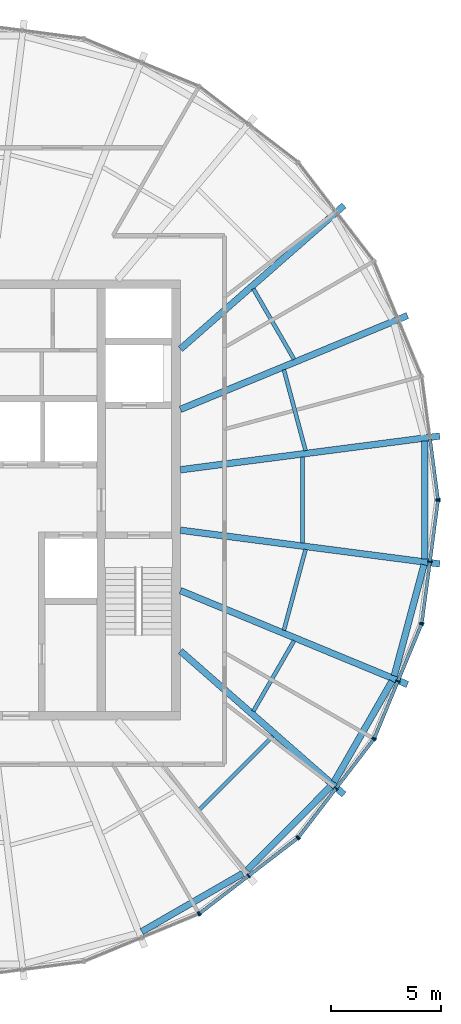
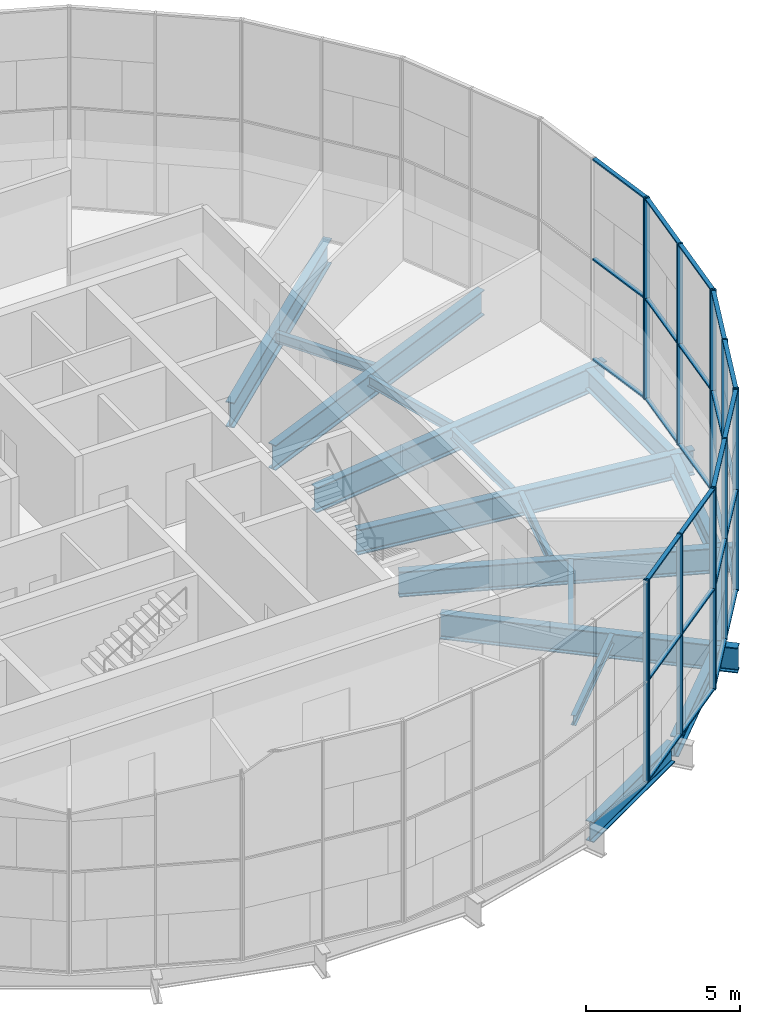
# One storey, part 4 of 18: 41 members, 17 beams, 6 elements without a shape of their own.
"""IFC4 building model written with IfcOpenShell, lengths in metres."""

from ifc_helpers import new_model, si_unit, direction, frame, origin, origin_2d, place, context, subcontext, project, spatial, rectangle, i_section, extrude, material, material_profile, profile_set, type_object, element, aggregate, save


model = new_model("IFC4")

# Units and contexts
model_context = context("Model", 3, precision=1e-05, world=origin(), true_north=direction((0.0, 1.0)))
body_context = subcontext(model_context, "Body", "Model", "MODEL_VIEW")
ifc_project = project(units=[si_unit("LENGTHUNIT", "METRE"), si_unit("AREAUNIT", "SQUARE_METRE"), si_unit("VOLUMEUNIT", "CUBIC_METRE"), si_unit("PLANEANGLEUNIT", "RADIAN"), si_unit("MASSUNIT", "GRAM", prefix="KILO")], contexts=[model_context])

# Site, building, storey
site_placement = place(None, origin())
site = spatial("IfcSite", under=ifc_project, at=site_placement, CompositionType="ELEMENT")
building_placement = place(site_placement, origin())
building = spatial("IfcBuilding", under=site, at=building_placement, Name="Golbaran Civic Tower", CompositionType="ELEMENT")
storey_placement = place(building_placement, frame((0.0, 0.0, 272.0)))
storey = spatial("IfcBuildingStorey", under=building, at=storey_placement, Name="L66", CompositionType="ELEMENT", Elevation=272.0)

# Beams
ifc_material_1 = material(Name="Steel S355", Category="steel")
ifc_material_profile_1 = material_profile(ifc_material_1, i_section(OverallWidth=0.300048828125, OverallDepth=0.800048828125, WebThickness=0.017578125, FlangeThickness=0.032958984375, FilletRadius=0.030029296875, at=origin_2d()), Name="HEB 800")
ifc_profile_set_1 = profile_set([ifc_material_profile_1], Name="Steel S355")
beam_type_1 = type_object("IfcBeamType", Name="EDGE BEAM HEB 800", PredefinedType="BEAM", material=ifc_profile_set_1)
beam_1_placement = place(storey_placement, frame((8.2421875, -19.6044921875, -0.60009765625), z_axis=(0.866440450547, 0.499280427871, 0.0), x_axis=(-0.499280427871, 0.866440450547, 0.0)))
element("IfcBeam", 1, at=beam_1_placement, inside=storey, type_object=beam_type_1, Name="Edge beam 292.41 L66", PredefinedType="BEAM", context=body_context, shape_type="SweptSolid", body=[
    extrude(i_section(OverallWidth=0.300048828125, OverallDepth=0.800048828125, WebThickness=0.017578125, FlangeThickness=0.032958984375, FilletRadius=0.030029296875, at=origin_2d()), origin(), (0.0, 0.0, 1.0), 5.292236328125),
])
beam_2_placement = place(storey_placement, frame((13.0341796875, -16.803955078125, -0.60009765625), z_axis=(0.70669645465, 0.707516869753, 0.0), x_axis=(-0.707516869753, 0.70669645465, 0.0)))
element("IfcBeam", 2, at=beam_2_placement, inside=storey, type_object=beam_type_1, Name="Edge beam 307.59 L66", PredefinedType="BEAM", context=body_context, shape_type="SweptSolid", body=[
    extrude(i_section(OverallWidth=0.300048828125, OverallDepth=0.800048828125, WebThickness=0.017578125, FlangeThickness=0.032958984375, FilletRadius=0.030029296875, at=origin_2d()), origin(), (0.0, 0.0, 1.0), 5.3564453125),
])
beam_3_placement = place(storey_placement, frame((16.977783203125, -12.80712890625, -0.60009765625), z_axis=(0.498381695671, 0.866957718358, 0.0), x_axis=(-0.866957718358, 0.498381695671, 0.0)))
element("IfcBeam", 3, at=beam_3_placement, inside=storey, type_object=beam_type_1, Name="Edge beam 322.41 L66", PredefinedType="BEAM", context=body_context, shape_type="SweptSolid", body=[
    extrude(i_section(OverallWidth=0.300048828125, OverallDepth=0.800048828125, WebThickness=0.017578125, FlangeThickness=0.032958984375, FilletRadius=0.030029296875, at=origin_2d()), origin(), (0.0, 0.0, 1.0), 5.283203125),
])
beam_4_placement = place(storey_placement, frame((19.710205078125, -7.986572265625, -0.60009765625), z_axis=(0.258898847874, 0.965904439668, 0.0), x_axis=(-0.965904439668, 0.258898847874, 0.0)))
element("IfcBeam", 4, at=beam_4_placement, inside=storey, type_object=beam_type_1, Name="Edge beam 337.59 L66", PredefinedType="BEAM", context=body_context, shape_type="SweptSolid", body=[
    extrude(i_section(OverallWidth=0.300048828125, OverallDepth=0.800048828125, WebThickness=0.017578125, FlangeThickness=0.032958984375, FilletRadius=0.030029296875, at=origin_2d()), origin(), (0.0, 0.0, 1.0), 5.22314453125),
])
beam_5_placement = place(storey_placement, frame((21.096435546875, -2.68359375, -0.60009765625), z_axis=(0.0, 1.0, 0.0), x_axis=(-1.0, 0.0, 0.0)))
element("IfcBeam", 5, at=beam_5_placement, inside=storey, type_object=beam_type_1, Name="Edge beam 352.41 L66", PredefinedType="BEAM", context=body_context, shape_type="SweptSolid", body=[
    extrude(i_section(OverallWidth=0.300048828125, OverallDepth=0.800048828125, WebThickness=0.017578125, FlangeThickness=0.032958984375, FilletRadius=0.030029296875, at=origin_2d()), origin(), (0.0, 0.0, 1.0), 5.3671875),
])
ifc_material_profile_2 = material_profile(ifc_material_1, i_section(OverallWidth=0.179931640625, OverallDepth=0.39990234375, WebThickness=0.008544921875, FlangeThickness=0.013427734375, FilletRadius=0.02099609375, at=origin_2d()), Name="IPE 400")
ifc_profile_set_2 = profile_set([ifc_material_profile_2], Name="Steel S355")
beam_type_2 = type_object("IfcBeamType", Name="FLOOR INFILL BEAM IPE 400", PredefinedType="BEAM", material=ifc_profile_set_2)
beam_6_placement = place(storey_placement, frame((15.68359375, 2.24169921875, -0.39990234375), z_axis=(-0.258813089189, 0.965927422152, 0.0), x_axis=(-0.965927422152, -0.258813089189, 0.0)))
element("IfcBeam", 6, at=beam_6_placement, inside=storey, type_object=beam_type_2, Name="Infill beam 15.00 L66", PredefinedType="BEAM", context=body_context, shape_type="SweptSolid", body=[
    extrude(i_section(OverallWidth=0.179931640625, OverallDepth=0.39990234375, WebThickness=0.008544921875, FlangeThickness=0.013427734375, FilletRadius=0.02099609375, at=origin_2d()), origin(), (0.0, 0.0, 1.0), 3.803466796875),
])
beam_7_placement = place(storey_placement, frame((15.16162109375, 6.38818359375, -0.39990234375), z_axis=(-0.500015802937, 0.866016279763, 0.0), x_axis=(-0.866016279763, -0.500015802937, 0.0)))
element("IfcBeam", 7, at=beam_7_placement, inside=storey, type_object=beam_type_2, Name="Infill beam 30.00 L66", PredefinedType="BEAM", context=body_context, shape_type="SweptSolid", body=[
    extrude(i_section(OverallWidth=0.179931640625, OverallDepth=0.39990234375, WebThickness=0.008544921875, FlangeThickness=0.013427734375, FilletRadius=0.02099609375, at=origin_2d()), origin(), (0.0, 0.0, 1.0), 3.6982421875),
])
beam_8_placement = place(storey_placement, frame((10.786865234375, -14.13134765625, -0.39990234375), z_axis=(0.707081500738, 0.707132060731, 0.0), x_axis=(-0.707132060731, 0.707081500738, 0.0)))
element("IfcBeam", 8, at=beam_8_placement, inside=storey, type_object=beam_type_2, Name="Infill beam 315.00 L66", PredefinedType="BEAM", context=body_context, shape_type="SweptSolid", body=[
    extrude(i_section(OverallWidth=0.179931640625, OverallDepth=0.39990234375, WebThickness=0.008544921875, FlangeThickness=0.013427734375, FilletRadius=0.02099609375, at=origin_2d()), origin(), (0.0, 0.0, 1.0), 4.82861328125),
])
beam_9_placement = place(storey_placement, frame((13.3125, -9.5908203125, -0.39990234375), z_axis=(0.500015802937, 0.866016279763, 0.0), x_axis=(-0.866016279763, 0.500015802937, 0.0)))
element("IfcBeam", 9, at=beam_9_placement, inside=storey, type_object=beam_type_2, Name="Infill beam 330.00 L66", PredefinedType="BEAM", context=body_context, shape_type="SweptSolid", body=[
    extrude(i_section(OverallWidth=0.179931640625, OverallDepth=0.39990234375, WebThickness=0.008544921875, FlangeThickness=0.013427734375, FilletRadius=0.02099609375, at=origin_2d()), origin(), (0.0, 0.0, 1.0), 3.6982421875),
])
beam_10_placement = place(storey_placement, frame((14.69921875, -5.91552734375, -0.39990234375), z_axis=(0.258813089189, 0.965927422152, 0.0), x_axis=(-0.965927422152, 0.258813089189, 0.0)))
element("IfcBeam", 10, at=beam_10_placement, inside=storey, type_object=beam_type_2, Name="Infill beam 345.00 L66", PredefinedType="BEAM", context=body_context, shape_type="SweptSolid", body=[
    extrude(i_section(OverallWidth=0.179931640625, OverallDepth=0.39990234375, WebThickness=0.008544921875, FlangeThickness=0.013427734375, FilletRadius=0.02099609375, at=origin_2d()), origin(), (0.0, 0.0, 1.0), 3.803466796875),
])
beam_11_placement = place(storey_placement, frame((15.548095703125, -1.9619140625, -0.39990234375), z_axis=(0.0, 1.0, 0.0), x_axis=(-1.0, 0.0, 0.0)))
element("IfcBeam", 11, at=beam_11_placement, inside=storey, type_object=beam_type_2, Name="Infill beam 0.00 L66", PredefinedType="BEAM", context=body_context, shape_type="SweptSolid", body=[
    extrude(i_section(OverallWidth=0.179931640625, OverallDepth=0.39990234375, WebThickness=0.008544921875, FlangeThickness=0.013427734375, FilletRadius=0.02099609375, at=origin_2d()), origin(), (0.0, 0.0, 1.0), 3.923828125),
])

# Curtain wall, member
ifc_material_2 = material(Name="Aluminium and glass", Category="aluminium")
curtain_wall_type = type_object("IfcCurtainWallType", Name="INNER SKIN CURTAIN WALL EXECUTIVE", PredefinedType="NOTDEFINED", material=ifc_material_2)
curtain_wall_1_placement = place(storey_placement, origin())
curtain_wall_1 = element("IfcCurtainWall", 12, at=curtain_wall_1_placement, inside=storey, type_object=curtain_wall_type, Name="Inner skin L66 facet 1 CW2", ObjectType="INNER SKIN", PredefinedType="USERDEFINED")
ifc_material_3 = material(Name="Aluminium", Category="aluminium")
ifc_material_profile_3 = material_profile(ifc_material_3, rectangle(XDim=0.199951171875, YDim=0.06005859375, at=origin_2d()), Name="INNER SKIN CURTAIN WALL EXECUTIVE MULLION")
ifc_profile_set_3 = profile_set([ifc_material_profile_3], Name="Aluminium")
member_type_1 = type_object("IfcMemberType", Name="INNER SKIN CURTAIN WALL EXECUTIVE MULLION", PredefinedType="MULLION", material=ifc_profile_set_3)
member_1_placement = place(storey_placement, frame((21.695068359375, 0.02978515625, 0.0), z_axis=(0.0, 0.0, 1.0), x_axis=(-0.991444861383, -0.130526192151, 0.0)))
member_1 = element("IfcMember", 13, at=member_1_placement, type_object=member_type_1, Name="CW2 mullion 1", PredefinedType="MULLION", context=body_context, shape_type="SweptSolid", body=[
    extrude(rectangle(XDim=0.199951171875, YDim=0.06005859375, at=origin_2d()), origin(), (0.0, 0.0, 1.0), 8.0),
])

curtain_wall_2_placement = place(storey_placement, origin())
curtain_wall_2 = element("IfcCurtainWall", 14, at=curtain_wall_2_placement, inside=storey, type_object=curtain_wall_type, Name="Inner skin L66 facet 20 CW2", ObjectType="INNER SKIN", PredefinedType="USERDEFINED")
member_2_placement = place(storey_placement, frame((10.82177734375, -18.803466796875, 0.0), z_axis=(0.0, 0.0, 1.0), x_axis=(-0.382683432397, 0.923879532498, 0.0)))
member_2 = element("IfcMember", 15, at=member_2_placement, type_object=member_type_1, Name="CW2 mullion 3", PredefinedType="MULLION", context=body_context, shape_type="SweptSolid", body=[
    extrude(rectangle(XDim=0.199951171875, YDim=0.06005859375, at=origin_2d()), origin(), (0.0, 0.0, 1.0), 8.0),
])
aggregate(curtain_wall_2, [member_2])

# Curtain wall, members
curtain_wall_3_placement = place(storey_placement, origin())
curtain_wall_3 = element("IfcCurtainWall", 16, at=curtain_wall_3_placement, inside=storey, type_object=curtain_wall_type, Name="Inner skin L66 facet 21 CW2", ObjectType="INNER SKIN", PredefinedType="USERDEFINED")
member_3_placement = place(storey_placement, frame((10.873291015625, -18.773681640625, 0.0), z_axis=(0.0, 0.0, 1.0), x_axis=(-0.608761429036, 0.79335334027, 0.0)))
member_3 = element("IfcMember", 17, at=member_3_placement, type_object=member_type_1, Name="CW2 mullion 1", PredefinedType="MULLION", context=body_context, shape_type="SweptSolid", body=[
    extrude(rectangle(XDim=0.199951171875, YDim=0.06005859375, at=origin_2d()), origin(), (0.0, 0.0, 1.0), 8.0),
])
member_4_placement = place(storey_placement, frame((13.096435546875, -17.067626953125, 0.0), z_axis=(0.0, 0.0, 1.0), x_axis=(-0.608761429036, 0.79335334027, 0.0)))
member_4 = element("IfcMember", 18, at=member_4_placement, type_object=member_type_1, Name="CW2 mullion 2", PredefinedType="MULLION", context=body_context, shape_type="SweptSolid", body=[
    extrude(rectangle(XDim=0.199951171875, YDim=0.06005859375, at=origin_2d()), origin(), (0.0, 0.0, 1.0), 8.0),
])
member_5_placement = place(storey_placement, frame((15.31982421875, -15.36181640625, 0.0), z_axis=(0.0, 0.0, 1.0), x_axis=(-0.608761429036, 0.79335334027, 0.0)))
member_5 = element("IfcMember", 19, at=member_5_placement, type_object=member_type_1, Name="CW2 mullion 3", PredefinedType="MULLION", context=body_context, shape_type="SweptSolid", body=[
    extrude(rectangle(XDim=0.199951171875, YDim=0.06005859375, at=origin_2d()), origin(), (0.0, 0.0, 1.0), 8.0),
])

curtain_wall_4_placement = place(storey_placement, origin())
curtain_wall_4 = element("IfcCurtainWall", 20, at=curtain_wall_4_placement, inside=storey, type_object=curtain_wall_type, Name="Inner skin L66 facet 22 CW2", ObjectType="INNER SKIN", PredefinedType="USERDEFINED")
member_6_placement = place(storey_placement, frame((15.36181640625, -15.31982421875, 0.0), z_axis=(0.0, 0.0, 1.0), x_axis=(-0.79335334027, 0.608761429036, 0.0)))
member_6 = element("IfcMember", 21, at=member_6_placement, type_object=member_type_1, Name="CW2 mullion 1", PredefinedType="MULLION", context=body_context, shape_type="SweptSolid", body=[
    extrude(rectangle(XDim=0.199951171875, YDim=0.06005859375, at=origin_2d()), origin(), (0.0, 0.0, 1.0), 8.0),
])
member_7_placement = place(storey_placement, frame((17.067626953125, -13.096435546875, 0.0), z_axis=(0.0, 0.0, 1.0), x_axis=(-0.79335334027, 0.608761429036, 0.0)))
member_7 = element("IfcMember", 22, at=member_7_placement, type_object=member_type_1, Name="CW2 mullion 2", PredefinedType="MULLION", context=body_context, shape_type="SweptSolid", body=[
    extrude(rectangle(XDim=0.199951171875, YDim=0.06005859375, at=origin_2d()), origin(), (0.0, 0.0, 1.0), 8.0),
])
member_8_placement = place(storey_placement, frame((18.773681640625, -10.873291015625, 0.0), z_axis=(0.0, 0.0, 1.0), x_axis=(-0.79335334027, 0.608761429036, 0.0)))
member_8 = element("IfcMember", 23, at=member_8_placement, type_object=member_type_1, Name="CW2 mullion 3", PredefinedType="MULLION", context=body_context, shape_type="SweptSolid", body=[
    extrude(rectangle(XDim=0.199951171875, YDim=0.06005859375, at=origin_2d()), origin(), (0.0, 0.0, 1.0), 8.0),
])

curtain_wall_5_placement = place(storey_placement, origin())
curtain_wall_5 = element("IfcCurtainWall", 24, at=curtain_wall_5_placement, inside=storey, type_object=curtain_wall_type, Name="Inner skin L66 facet 23 CW2", ObjectType="INNER SKIN", PredefinedType="USERDEFINED")
member_9_placement = place(storey_placement, frame((18.803466796875, -10.82177734375, 0.0), z_axis=(0.0, 0.0, 1.0), x_axis=(-0.923879532498, 0.382683432397, 0.0)))
member_9 = element("IfcMember", 25, at=member_9_placement, type_object=member_type_1, Name="CW2 mullion 1", PredefinedType="MULLION", context=body_context, shape_type="SweptSolid", body=[
    extrude(rectangle(XDim=0.199951171875, YDim=0.06005859375, at=origin_2d()), origin(), (0.0, 0.0, 1.0), 8.0),
])
member_10_placement = place(storey_placement, frame((19.875732421875, -8.23291015625, 0.0), z_axis=(0.0, 0.0, 1.0), x_axis=(-0.923879532498, 0.382683432397, 0.0)))
member_10 = element("IfcMember", 26, at=member_10_placement, type_object=member_type_1, Name="CW2 mullion 2", PredefinedType="MULLION", context=body_context, shape_type="SweptSolid", body=[
    extrude(rectangle(XDim=0.199951171875, YDim=0.06005859375, at=origin_2d()), origin(), (0.0, 0.0, 1.0), 8.0),
])
member_11_placement = place(storey_placement, frame((20.9482421875, -5.643798828125, 0.0), z_axis=(0.0, 0.0, 1.0), x_axis=(-0.923879532498, 0.382683432397, 0.0)))
member_11 = element("IfcMember", 27, at=member_11_placement, type_object=member_type_1, Name="CW2 mullion 3", PredefinedType="MULLION", context=body_context, shape_type="SweptSolid", body=[
    extrude(rectangle(XDim=0.199951171875, YDim=0.06005859375, at=origin_2d()), origin(), (0.0, 0.0, 1.0), 8.0),
])

curtain_wall_6_placement = place(storey_placement, origin())
curtain_wall_6 = element("IfcCurtainWall", 28, at=curtain_wall_6_placement, inside=storey, type_object=curtain_wall_type, Name="Inner skin L66 facet 24 CW2", ObjectType="INNER SKIN", PredefinedType="USERDEFINED")
member_12_placement = place(storey_placement, frame((20.963623046875, -5.58642578125, 0.0), z_axis=(0.0, 0.0, 1.0), x_axis=(-0.991444861383, 0.130526192151, 0.0)))
member_12 = element("IfcMember", 29, at=member_12_placement, type_object=member_type_1, Name="CW2 mullion 1", PredefinedType="MULLION", context=body_context, shape_type="SweptSolid", body=[
    extrude(rectangle(XDim=0.199951171875, YDim=0.06005859375, at=origin_2d()), origin(), (0.0, 0.0, 1.0), 8.0),
])
member_13_placement = place(storey_placement, frame((21.329345703125, -2.80810546875, 0.0), z_axis=(0.0, 0.0, 1.0), x_axis=(-0.991444861383, 0.130526192151, 0.0)))
member_13 = element("IfcMember", 30, at=member_13_placement, type_object=member_type_1, Name="CW2 mullion 2", PredefinedType="MULLION", context=body_context, shape_type="SweptSolid", body=[
    extrude(rectangle(XDim=0.199951171875, YDim=0.06005859375, at=origin_2d()), origin(), (0.0, 0.0, 1.0), 8.0),
])
member_14_placement = place(storey_placement, frame((21.695068359375, -0.02978515625, 0.0), z_axis=(0.0, 0.0, 1.0), x_axis=(-0.991444861383, 0.130526192151, 0.0)))
member_14 = element("IfcMember", 31, at=member_14_placement, type_object=member_type_1, Name="CW2 mullion 3", PredefinedType="MULLION", context=body_context, shape_type="SweptSolid", body=[
    extrude(rectangle(XDim=0.199951171875, YDim=0.06005859375, at=origin_2d()), origin(), (0.0, 0.0, 1.0), 8.0),
])

# Member
ifc_material_profile_4 = material_profile(ifc_material_3, rectangle(XDim=0.14990234375, YDim=0.06005859375, at=origin_2d()), Name="INNER SKIN CURTAIN WALL EXECUTIVE TRANSOM")
ifc_profile_set_4 = profile_set([ifc_material_profile_4], Name="Aluminium")
member_type_2 = type_object("IfcMemberType", Name="INNER SKIN CURTAIN WALL EXECUTIVE TRANSOM", PredefinedType="USERDEFINED", material=ifc_profile_set_4)
member_15_placement = place(storey_placement, frame((21.691162109375, 0.0595703125, 0.030029296875), z_axis=(-0.130518997427, 0.99144580856, 0.0), x_axis=(-0.99144580856, -0.130518997427, 0.0)))
member_15 = element("IfcMember", 32, at=member_15_placement, type_object=member_type_2, Name="CW2 transom 1.1", ObjectType="TRANSOM", PredefinedType="USERDEFINED", context=body_context, shape_type="SweptSolid", body=[
    extrude(rectangle(XDim=0.14990234375, YDim=0.06005859375, at=origin_2d()), origin(), (0.0, 0.0, 1.0), 2.7421875),
])

member_16_placement = place(storey_placement, frame((21.691162109375, 0.0595703125, 4.0), z_axis=(-0.130518997427, 0.99144580856, 0.0), x_axis=(-0.99144580856, -0.130518997427, 0.0)))
member_16 = element("IfcMember", 33, at=member_16_placement, type_object=member_type_2, Name="CW2 transom 1.2", ObjectType="TRANSOM", PredefinedType="USERDEFINED", context=body_context, shape_type="SweptSolid", body=[
    extrude(rectangle(XDim=0.14990234375, YDim=0.06005859375, at=origin_2d()), origin(), (0.0, 0.0, 1.0), 2.7421875),
])

member_17_placement = place(storey_placement, frame((21.691162109375, 0.0595703125, 7.969970703125), z_axis=(-0.130518997427, 0.99144580856, 0.0), x_axis=(-0.99144580856, -0.130518997427, 0.0)))
member_17 = element("IfcMember", 34, at=member_17_placement, type_object=member_type_2, Name="CW2 transom 1.3", ObjectType="TRANSOM", PredefinedType="USERDEFINED", context=body_context, shape_type="SweptSolid", body=[
    extrude(rectangle(XDim=0.14990234375, YDim=0.06005859375, at=origin_2d()), origin(), (0.0, 0.0, 1.0), 2.7421875),
])

aggregate(curtain_wall_1, [member_1, member_15, member_16, member_17])

member_18_placement = place(storey_placement, frame((10.897216796875, -18.75537109375, 0.030029296875), z_axis=(0.793338324799, 0.60878099708, 0.0), x_axis=(-0.60878099708, 0.793338324799, 0.0)))
member_18 = element("IfcMember", 35, at=member_18_placement, type_object=member_type_2, Name="CW2 transom 1.1", ObjectType="TRANSOM", PredefinedType="USERDEFINED", context=body_context, shape_type="SweptSolid", body=[
    extrude(rectangle(XDim=0.14990234375, YDim=0.06005859375, at=origin_2d()), origin(), (0.0, 0.0, 1.0), 2.7421875),
])

member_19_placement = place(storey_placement, frame((10.897216796875, -18.75537109375, 4.0), z_axis=(0.793338324799, 0.60878099708, 0.0), x_axis=(-0.60878099708, 0.793338324799, 0.0)))
member_19 = element("IfcMember", 36, at=member_19_placement, type_object=member_type_2, Name="CW2 transom 1.2", ObjectType="TRANSOM", PredefinedType="USERDEFINED", context=body_context, shape_type="SweptSolid", body=[
    extrude(rectangle(XDim=0.14990234375, YDim=0.06005859375, at=origin_2d()), origin(), (0.0, 0.0, 1.0), 2.7421875),
])

member_20_placement = place(storey_placement, frame((10.897216796875, -18.75537109375, 7.969970703125), z_axis=(0.793338324799, 0.60878099708, 0.0), x_axis=(-0.60878099708, 0.793338324799, 0.0)))
member_20 = element("IfcMember", 37, at=member_20_placement, type_object=member_type_2, Name="CW2 transom 1.3", ObjectType="TRANSOM", PredefinedType="USERDEFINED", context=body_context, shape_type="SweptSolid", body=[
    extrude(rectangle(XDim=0.14990234375, YDim=0.06005859375, at=origin_2d()), origin(), (0.0, 0.0, 1.0), 2.7421875),
])

member_21_placement = place(storey_placement, frame((13.120361328125, -17.04931640625, 0.030029296875), z_axis=(0.793381323473, 0.608724958881, 0.0), x_axis=(-0.608724958881, 0.793381323473, 0.0)))
member_21 = element("IfcMember", 38, at=member_21_placement, type_object=member_type_2, Name="CW2 transom 2.1", ObjectType="TRANSOM", PredefinedType="USERDEFINED", context=body_context, shape_type="SweptSolid", body=[
    extrude(rectangle(XDim=0.14990234375, YDim=0.06005859375, at=origin_2d()), origin(), (0.0, 0.0, 1.0), 2.7421875),
])

member_22_placement = place(storey_placement, frame((13.120361328125, -17.04931640625, 4.0), z_axis=(0.793381323473, 0.608724958881, 0.0), x_axis=(-0.608724958881, 0.793381323473, 0.0)))
member_22 = element("IfcMember", 39, at=member_22_placement, type_object=member_type_2, Name="CW2 transom 2.2", ObjectType="TRANSOM", PredefinedType="USERDEFINED", context=body_context, shape_type="SweptSolid", body=[
    extrude(rectangle(XDim=0.14990234375, YDim=0.06005859375, at=origin_2d()), origin(), (0.0, 0.0, 1.0), 2.7421875),
])

member_23_placement = place(storey_placement, frame((13.120361328125, -17.04931640625, 7.969970703125), z_axis=(0.793381323473, 0.608724958881, 0.0), x_axis=(-0.608724958881, 0.793381323473, 0.0)))
member_23 = element("IfcMember", 40, at=member_23_placement, type_object=member_type_2, Name="CW2 transom 2.3", ObjectType="TRANSOM", PredefinedType="USERDEFINED", context=body_context, shape_type="SweptSolid", body=[
    extrude(rectangle(XDim=0.14990234375, YDim=0.06005859375, at=origin_2d()), origin(), (0.0, 0.0, 1.0), 2.7421875),
])

aggregate(curtain_wall_3, [member_3, member_4, member_5, member_18, member_19, member_20, member_21, member_22, member_23])

member_24_placement = place(storey_placement, frame((15.380126953125, -15.2958984375, 0.030029296875), z_axis=(0.608724958881, 0.793381323473, 0.0), x_axis=(-0.793381323473, 0.608724958881, 0.0)))
member_24 = element("IfcMember", 41, at=member_24_placement, type_object=member_type_2, Name="CW2 transom 1.1", ObjectType="TRANSOM", PredefinedType="USERDEFINED", context=body_context, shape_type="SweptSolid", body=[
    extrude(rectangle(XDim=0.14990234375, YDim=0.06005859375, at=origin_2d()), origin(), (0.0, 0.0, 1.0), 2.7421875),
])

member_25_placement = place(storey_placement, frame((15.380126953125, -15.2958984375, 4.0), z_axis=(0.608724958881, 0.793381323473, 0.0), x_axis=(-0.793381323473, 0.608724958881, 0.0)))
member_25 = element("IfcMember", 42, at=member_25_placement, type_object=member_type_2, Name="CW2 transom 1.2", ObjectType="TRANSOM", PredefinedType="USERDEFINED", context=body_context, shape_type="SweptSolid", body=[
    extrude(rectangle(XDim=0.14990234375, YDim=0.06005859375, at=origin_2d()), origin(), (0.0, 0.0, 1.0), 2.7421875),
])

member_26_placement = place(storey_placement, frame((15.380126953125, -15.2958984375, 7.969970703125), z_axis=(0.608724958881, 0.793381323473, 0.0), x_axis=(-0.793381323473, 0.608724958881, 0.0)))
member_26 = element("IfcMember", 43, at=member_26_placement, type_object=member_type_2, Name="CW2 transom 1.3", ObjectType="TRANSOM", PredefinedType="USERDEFINED", context=body_context, shape_type="SweptSolid", body=[
    extrude(rectangle(XDim=0.14990234375, YDim=0.06005859375, at=origin_2d()), origin(), (0.0, 0.0, 1.0), 2.7421875),
])

member_27_placement = place(storey_placement, frame((17.0859375, -13.07275390625, 0.030029296875), z_axis=(0.60878099708, 0.793338324799, 0.0), x_axis=(-0.793338324799, 0.60878099708, 0.0)))
member_27 = element("IfcMember", 44, at=member_27_placement, type_object=member_type_2, Name="CW2 transom 2.1", ObjectType="TRANSOM", PredefinedType="USERDEFINED", context=body_context, shape_type="SweptSolid", body=[
    extrude(rectangle(XDim=0.14990234375, YDim=0.06005859375, at=origin_2d()), origin(), (0.0, 0.0, 1.0), 2.7421875),
])

member_28_placement = place(storey_placement, frame((17.0859375, -13.07275390625, 4.0), z_axis=(0.60878099708, 0.793338324799, 0.0), x_axis=(-0.793338324799, 0.60878099708, 0.0)))
member_28 = element("IfcMember", 45, at=member_28_placement, type_object=member_type_2, Name="CW2 transom 2.2", ObjectType="TRANSOM", PredefinedType="USERDEFINED", context=body_context, shape_type="SweptSolid", body=[
    extrude(rectangle(XDim=0.14990234375, YDim=0.06005859375, at=origin_2d()), origin(), (0.0, 0.0, 1.0), 2.7421875),
])

member_29_placement = place(storey_placement, frame((17.0859375, -13.07275390625, 7.969970703125), z_axis=(0.60878099708, 0.793338324799, 0.0), x_axis=(-0.793338324799, 0.60878099708, 0.0)))
member_29 = element("IfcMember", 46, at=member_29_placement, type_object=member_type_2, Name="CW2 transom 2.3", ObjectType="TRANSOM", PredefinedType="USERDEFINED", context=body_context, shape_type="SweptSolid", body=[
    extrude(rectangle(XDim=0.14990234375, YDim=0.06005859375, at=origin_2d()), origin(), (0.0, 0.0, 1.0), 2.7421875),
])

aggregate(curtain_wall_4, [member_6, member_7, member_8, member_24, member_25, member_26, member_27, member_28, member_29])

member_30_placement = place(storey_placement, frame((18.81494140625, -10.7939453125, 0.030029296875), z_axis=(0.382661079663, 0.923888790987, 0.0), x_axis=(-0.923888790987, 0.382661079663, 0.0)))
member_30 = element("IfcMember", 47, at=member_30_placement, type_object=member_type_2, Name="CW2 transom 1.1", ObjectType="TRANSOM", PredefinedType="USERDEFINED", context=body_context, shape_type="SweptSolid", body=[
    extrude(rectangle(XDim=0.14990234375, YDim=0.06005859375, at=origin_2d()), origin(), (0.0, 0.0, 1.0), 2.7421875),
])

member_31_placement = place(storey_placement, frame((18.81494140625, -10.7939453125, 4.0), z_axis=(0.382661079663, 0.923888790987, 0.0), x_axis=(-0.923888790987, 0.382661079663, 0.0)))
member_31 = element("IfcMember", 48, at=member_31_placement, type_object=member_type_2, Name="CW2 transom 1.2", ObjectType="TRANSOM", PredefinedType="USERDEFINED", context=body_context, shape_type="SweptSolid", body=[
    extrude(rectangle(XDim=0.14990234375, YDim=0.06005859375, at=origin_2d()), origin(), (0.0, 0.0, 1.0), 2.7421875),
])

member_32_placement = place(storey_placement, frame((18.81494140625, -10.7939453125, 7.969970703125), z_axis=(0.382661079663, 0.923888790987, 0.0), x_axis=(-0.923888790987, 0.382661079663, 0.0)))
member_32 = element("IfcMember", 49, at=member_32_placement, type_object=member_type_2, Name="CW2 transom 1.3", ObjectType="TRANSOM", PredefinedType="USERDEFINED", context=body_context, shape_type="SweptSolid", body=[
    extrude(rectangle(XDim=0.14990234375, YDim=0.06005859375, at=origin_2d()), origin(), (0.0, 0.0, 1.0), 2.7421875),
])

member_33_placement = place(storey_placement, frame((19.88720703125, -8.205078125, 0.030029296875), z_axis=(0.382737071174, 0.923857312765, 0.0), x_axis=(-0.923857312765, 0.382737071174, 0.0)))
member_33 = element("IfcMember", 50, at=member_33_placement, type_object=member_type_2, Name="CW2 transom 2.1", ObjectType="TRANSOM", PredefinedType="USERDEFINED", context=body_context, shape_type="SweptSolid", body=[
    extrude(rectangle(XDim=0.14990234375, YDim=0.06005859375, at=origin_2d()), origin(), (0.0, 0.0, 1.0), 2.7421875),
])

member_34_placement = place(storey_placement, frame((19.88720703125, -8.205078125, 4.0), z_axis=(0.382737071174, 0.923857312765, 0.0), x_axis=(-0.923857312765, 0.382737071174, 0.0)))
member_34 = element("IfcMember", 51, at=member_34_placement, type_object=member_type_2, Name="CW2 transom 2.2", ObjectType="TRANSOM", PredefinedType="USERDEFINED", context=body_context, shape_type="SweptSolid", body=[
    extrude(rectangle(XDim=0.14990234375, YDim=0.06005859375, at=origin_2d()), origin(), (0.0, 0.0, 1.0), 2.7421875),
])

member_35_placement = place(storey_placement, frame((19.88720703125, -8.205078125, 7.969970703125), z_axis=(0.382737071174, 0.923857312765, 0.0), x_axis=(-0.923857312765, 0.382737071174, 0.0)))
member_35 = element("IfcMember", 52, at=member_35_placement, type_object=member_type_2, Name="CW2 transom 2.3", ObjectType="TRANSOM", PredefinedType="USERDEFINED", context=body_context, shape_type="SweptSolid", body=[
    extrude(rectangle(XDim=0.14990234375, YDim=0.06005859375, at=origin_2d()), origin(), (0.0, 0.0, 1.0), 2.7421875),
])

aggregate(curtain_wall_5, [member_9, member_10, member_11, member_30, member_31, member_32, member_33, member_34, member_35])

member_36_placement = place(storey_placement, frame((20.967529296875, -5.556640625, 0.030029296875), z_axis=(0.130518997427, 0.99144580856, 0.0), x_axis=(-0.99144580856, 0.130518997427, 0.0)))
member_36 = element("IfcMember", 53, at=member_36_placement, type_object=member_type_2, Name="CW2 transom 1.1", ObjectType="TRANSOM", PredefinedType="USERDEFINED", context=body_context, shape_type="SweptSolid", body=[
    extrude(rectangle(XDim=0.14990234375, YDim=0.06005859375, at=origin_2d()), origin(), (0.0, 0.0, 1.0), 2.7421875),
])

member_37_placement = place(storey_placement, frame((20.967529296875, -5.556640625, 4.0), z_axis=(0.130518997427, 0.99144580856, 0.0), x_axis=(-0.99144580856, 0.130518997427, 0.0)))
member_37 = element("IfcMember", 54, at=member_37_placement, type_object=member_type_2, Name="CW2 transom 1.2", ObjectType="TRANSOM", PredefinedType="USERDEFINED", context=body_context, shape_type="SweptSolid", body=[
    extrude(rectangle(XDim=0.14990234375, YDim=0.06005859375, at=origin_2d()), origin(), (0.0, 0.0, 1.0), 2.7421875),
])

member_38_placement = place(storey_placement, frame((20.967529296875, -5.556640625, 7.969970703125), z_axis=(0.130518997427, 0.99144580856, 0.0), x_axis=(-0.99144580856, 0.130518997427, 0.0)))
member_38 = element("IfcMember", 55, at=member_38_placement, type_object=member_type_2, Name="CW2 transom 1.3", ObjectType="TRANSOM", PredefinedType="USERDEFINED", context=body_context, shape_type="SweptSolid", body=[
    extrude(rectangle(XDim=0.14990234375, YDim=0.06005859375, at=origin_2d()), origin(), (0.0, 0.0, 1.0), 2.7421875),
])

member_39_placement = place(storey_placement, frame((21.333251953125, -2.7783203125, 0.030029296875), z_axis=(0.130518997427, 0.99144580856, 0.0), x_axis=(-0.99144580856, 0.130518997427, 0.0)))
member_39 = element("IfcMember", 56, at=member_39_placement, type_object=member_type_2, Name="CW2 transom 2.1", ObjectType="TRANSOM", PredefinedType="USERDEFINED", context=body_context, shape_type="SweptSolid", body=[
    extrude(rectangle(XDim=0.14990234375, YDim=0.06005859375, at=origin_2d()), origin(), (0.0, 0.0, 1.0), 2.7421875),
])

member_40_placement = place(storey_placement, frame((21.333251953125, -2.7783203125, 4.0), z_axis=(0.130518997427, 0.99144580856, 0.0), x_axis=(-0.99144580856, 0.130518997427, 0.0)))
member_40 = element("IfcMember", 57, at=member_40_placement, type_object=member_type_2, Name="CW2 transom 2.2", ObjectType="TRANSOM", PredefinedType="USERDEFINED", context=body_context, shape_type="SweptSolid", body=[
    extrude(rectangle(XDim=0.14990234375, YDim=0.06005859375, at=origin_2d()), origin(), (0.0, 0.0, 1.0), 2.7421875),
])

member_41_placement = place(storey_placement, frame((21.333251953125, -2.7783203125, 7.969970703125), z_axis=(0.130518997427, 0.99144580856, 0.0), x_axis=(-0.99144580856, 0.130518997427, 0.0)))
member_41 = element("IfcMember", 58, at=member_41_placement, type_object=member_type_2, Name="CW2 transom 2.3", ObjectType="TRANSOM", PredefinedType="USERDEFINED", context=body_context, shape_type="SweptSolid", body=[
    extrude(rectangle(XDim=0.14990234375, YDim=0.06005859375, at=origin_2d()), origin(), (0.0, 0.0, 1.0), 2.7421875),
])

aggregate(curtain_wall_6, [member_12, member_13, member_14, member_36, member_37, member_38, member_39, member_40, member_41])

# Beams
ifc_material_profile_5 = material_profile(ifc_material_1, i_section(OverallWidth=0.300048828125, OverallDepth=1.0, WebThickness=0.01904296875, FlangeThickness=0.035888671875, FilletRadius=0.030029296875, at=origin_2d()), Name="HEB 1000")
ifc_profile_set_5 = profile_set([ifc_material_profile_5], Name="Steel S355")
beam_type_3 = type_object("IfcBeamType", Name="RADIAL FLOOR BEAM HEB 1000", PredefinedType="BEAM", material=ifc_profile_set_5)
beam_12_placement = place(storey_placement, frame((10.0, 1.371337890625, -0.7099609375), z_axis=(0.991647444666, 0.128978081419, 0.0), x_axis=(-0.128978081419, 0.991647444666, 0.0)))
element("IfcBeam", 59, at=beam_12_placement, inside=storey, type_object=beam_type_3, Name="Radial beam 7.59 L66", PredefinedType="BEAM", context=body_context, shape_type="SweptSolid", body=[
    extrude(i_section(OverallWidth=0.300048828125, OverallDepth=1.0, WebThickness=0.01904296875, FlangeThickness=0.035888671875, FilletRadius=0.030029296875, at=origin_2d()), origin(), (0.0, 0.0, 1.0), 11.879638671875),
])
beam_13_placement = place(storey_placement, frame((10.0, 4.1142578125, -0.7099609375), z_axis=(0.924184384118, 0.381946624744, 0.0), x_axis=(-0.381946624744, 0.924184384118, 0.0)))
element("IfcBeam", 60, at=beam_13_placement, inside=storey, type_object=beam_type_3, Name="Radial beam 22.41 L66", PredefinedType="BEAM", context=body_context, shape_type="SweptSolid", body=[
    extrude(i_section(OverallWidth=0.300048828125, OverallDepth=1.0, WebThickness=0.01904296875, FlangeThickness=0.035888671875, FilletRadius=0.030029296875, at=origin_2d()), origin(), (0.0, 0.0, 1.0), 11.159912109375),
])
for number, where, z_axis, x_axis, name in (
    (61, (10.0, 6.857177734375, -0.7099609375), (0.751650181084, 0.659561979859, 0.0), (-0.659561979859, 0.751650181084, 0.0), "Radial beam 37.59 L66"),
    (62, (10.0, -6.857177734375, -0.7099609375), (0.751650181084, -0.659561979859, 0.0), (0.659561979859, 0.751650181084, 0.0), "Radial beam 322.41 L66"),
):
    element("IfcBeam", number, at=place(storey_placement, frame(where, z_axis=z_axis, x_axis=x_axis)), inside=storey, type_object=beam_type_3, Name=name, PredefinedType="BEAM", context=body_context, shape_type="SweptSolid", body=[
        extrude(i_section(OverallWidth=0.300048828125, OverallDepth=1.0, WebThickness=0.01904296875, FlangeThickness=0.035888671875, FilletRadius=0.030029296875, at=origin_2d()), origin(), (0.0, 0.0, 1.0), 9.883544921875),
    ])
beam_14_placement = place(storey_placement, frame((10.0, -4.1142578125, -0.7099609375), z_axis=(0.924184384118, -0.381946624744, 0.0), x_axis=(0.381946624744, 0.924184384118, 0.0)))
element("IfcBeam", 63, at=beam_14_placement, inside=storey, type_object=beam_type_3, Name="Radial beam 337.59 L66", PredefinedType="BEAM", context=body_context, shape_type="SweptSolid", body=[
    extrude(i_section(OverallWidth=0.300048828125, OverallDepth=1.0, WebThickness=0.01904296875, FlangeThickness=0.035888671875, FilletRadius=0.030029296875, at=origin_2d()), origin(), (0.0, 0.0, 1.0), 11.159912109375),
])
beam_15_placement = place(storey_placement, frame((10.0, -1.371337890625, -0.7099609375), z_axis=(0.991647444666, -0.128978081419, 0.0), x_axis=(0.128978081419, 0.991647444666, 0.0)))
element("IfcBeam", 64, at=beam_15_placement, inside=storey, type_object=beam_type_3, Name="Radial beam 352.41 L66", PredefinedType="BEAM", context=body_context, shape_type="SweptSolid", body=[
    extrude(i_section(OverallWidth=0.300048828125, OverallDepth=1.0, WebThickness=0.01904296875, FlangeThickness=0.035888671875, FilletRadius=0.030029296875, at=origin_2d()), origin(), (0.0, 0.0, 1.0), 11.879638671875),
])

save(model, "model.ifc")
